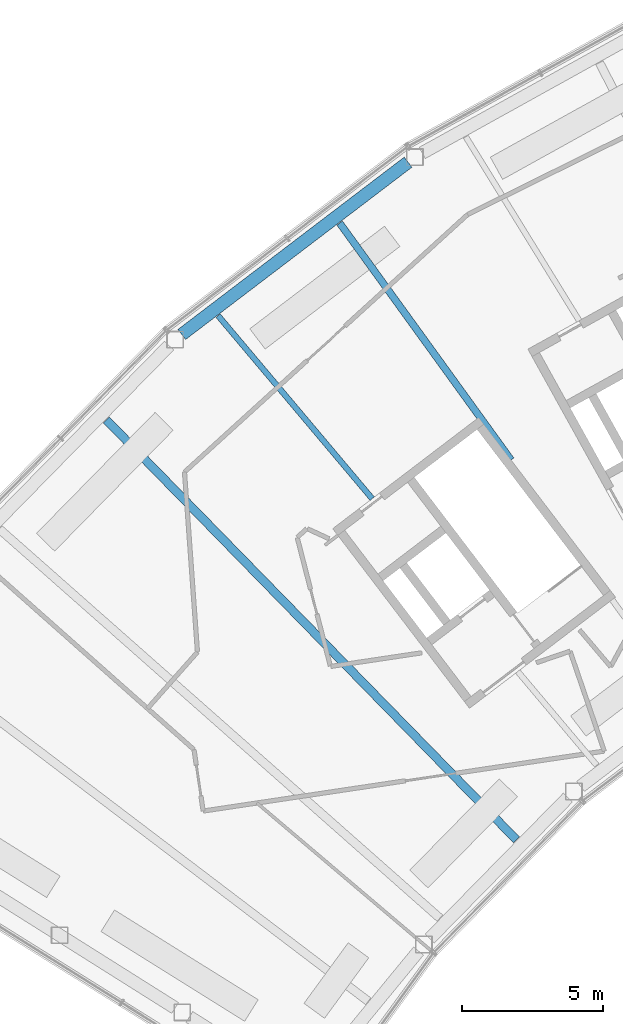
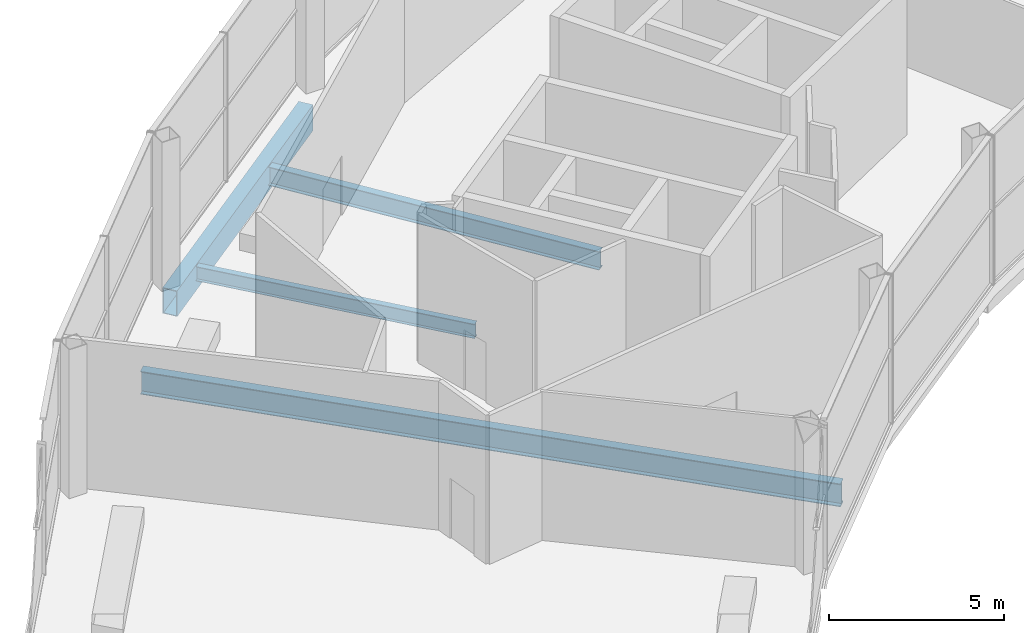
# One storey, part 9 of 44: 4 beams.
"""IFC4 building model written with IfcOpenShell, lengths in metres."""

from ifc_helpers import new_model, si_unit, direction, frame, origin, origin_2d, place, context, subcontext, project, spatial, hollow_rectangle, i_section, extrude, material, material_profile, profile_set, type_object, element, save


model = new_model("IFC4")

# Units and contexts
model_context = context("Model", 3, precision=1e-05, world=origin(), true_north=direction((0.0, 1.0)))
body_context = subcontext(model_context, "Body", "Model", "MODEL_VIEW")
ifc_project = project(units=[si_unit("LENGTHUNIT", "METRE"), si_unit("AREAUNIT", "SQUARE_METRE"), si_unit("VOLUMEUNIT", "CUBIC_METRE"), si_unit("PLANEANGLEUNIT", "RADIAN"), si_unit("MASSUNIT", "GRAM", prefix="KILO")], contexts=[model_context])

# Site, building, storey
site_placement = place(None, origin())
site = spatial("IfcSite", under=ifc_project, at=site_placement, CompositionType="ELEMENT")
building_placement = place(site_placement, origin())
building = spatial("IfcBuilding", under=site, at=building_placement, Name="Tuul Gate Civic Tower", CompositionType="ELEMENT")
storey_placement = place(building_placement, frame((0.0, 0.0, 354.60009765625)))
storey = spatial("IfcBuildingStorey", under=building, at=storey_placement, Name="Observation level 2", CompositionType="ELEMENT", Elevation=354.60009765625)

# Beams
ifc_material_1 = material(Name="Steel S355", Category="steel")
ifc_material_profile_1 = material_profile(ifc_material_1, i_section(OverallWidth=0.199951171875, OverallDepth=0.5, WebThickness=0.010009765625, FlangeThickness=0.01611328125, at=origin_2d()), Name="PG500x200x10x16")
ifc_profile_set_1 = profile_set([ifc_material_profile_1], Name="Steel S355")
beam_type_1 = type_object("IfcBeamType", Name="STR-FLOOR BEAM-PG500x200x10x16", PredefinedType="BEAM", material=ifc_profile_set_1)
beam_1_placement = place(storey_placement, frame((-39.720703125, -10.298095703125, -0.650146484375), z_axis=(-0.644145503575, 0.764902980923, 0.0), x_axis=(-0.764902980923, -0.644145503575, 0.0)))
element("IfcBeam", 1, at=beam_1_placement, inside=storey, type_object=beam_type_1, Name="Floor beam", PredefinedType="BEAM", context=body_context, shape_type="SweptSolid", body=[
    extrude(i_section(OverallWidth=0.199951171875, OverallDepth=0.5, WebThickness=0.010009765625, FlangeThickness=0.01611328125, at=origin_2d()), origin(), (0.0, 0.0, 1.0), 8.47509765625),
])
ifc_material_2 = material(Name="Steel S355", Category="steel")
ifc_material_profile_2 = material_profile(ifc_material_2, i_section(OverallWidth=0.25, OverallDepth=0.64990234375, WebThickness=0.011962890625, FlangeThickness=0.02001953125, at=origin_2d()), Name="PG650x250x12x20")
ifc_profile_set_2 = profile_set([ifc_material_profile_2], Name="Steel S355")
beam_type_2 = type_object("IfcBeamType", Name="STR-FLOOR BEAM-PG650x250x12x20", PredefinedType="BEAM", material=ifc_profile_set_2)
beam_2_placement = place(storey_placement, frame((-34.799560546875, -8.9296875, -0.72509765625), z_axis=(-0.586091808988, 0.810244649126, 0.0), x_axis=(-0.810244649126, -0.586091808988, 0.0)))
element("IfcBeam", 2, at=beam_2_placement, inside=storey, type_object=beam_type_2, Name="Floor beam", PredefinedType="BEAM", context=body_context, shape_type="SweptSolid", body=[
    extrude(i_section(OverallWidth=0.25, OverallDepth=0.64990234375, WebThickness=0.011962890625, FlangeThickness=0.02001953125, at=origin_2d()), origin(), (0.0, 0.0, 1.0), 10.360107421875),
])
ifc_material_3 = material(Name="Steel S355", Category="steel")
ifc_material_profile_3 = material_profile(ifc_material_3, i_section(OverallWidth=0.300048828125, OverallDepth=0.800048828125, WebThickness=0.013916015625, FlangeThickness=0.02490234375, at=origin_2d()), Name="PG800x300x14x25")
ifc_profile_set_3 = profile_set([ifc_material_profile_3], Name="Steel S355")
beam_type_3 = type_object("IfcBeamType", Name="STR-FLOOR BEAM-PG800x300x14x25", PredefinedType="BEAM", material=ifc_profile_set_3)
beam_3_placement = place(storey_placement, frame((-34.606201171875, -22.390380859375, -0.800048828125), z_axis=(-0.698678629993, 0.715435651888, 0.0), x_axis=(-0.715435651888, -0.698678629993, 0.0)))
element("IfcBeam", 3, at=beam_3_placement, inside=storey, type_object=beam_type_3, Name="Floor beam", PredefinedType="BEAM", context=body_context, shape_type="SweptSolid", body=[
    extrude(i_section(OverallWidth=0.300048828125, OverallDepth=0.800048828125, WebThickness=0.013916015625, FlangeThickness=0.02490234375, at=origin_2d()), origin(), (0.0, 0.0, 1.0), 20.80517578125),
])
ifc_material_4 = material(Name="Steel S355", Category="steel")
ifc_material_profile_4 = material_profile(ifc_material_4, hollow_rectangle(XDim=0.449951171875, YDim=0.89990234375, WallThickness=0.02490234375, at=origin_2d()), Name="BOX900x450x25")
ifc_profile_set_4 = profile_set([ifc_material_profile_4], Name="Steel S355")
beam_type_4 = type_object("IfcBeamType", Name="STR-SPANDREL BEAM-BOX900x450x25", PredefinedType="BEAM", material=ifc_profile_set_4)
beam_4_placement = place(storey_placement, frame((-38.44873046875, 1.623291015625, -0.85009765625), z_axis=(-0.795665227609, -0.605736614028, 0.0), x_axis=(0.605736614028, -0.795665227609, 0.0)))
element("IfcBeam", 4, at=beam_4_placement, inside=storey, type_object=beam_type_4, Name="Spandrel beam", PredefinedType="BEAM", context=body_context, shape_type="SweptSolid", body=[
    extrude(hollow_rectangle(XDim=0.449951171875, YDim=0.89990234375, WallThickness=0.02490234375, at=origin_2d()), origin(), (0.0, 0.0, 1.0), 10.077880859375),
])

save(model, "model.ifc")
